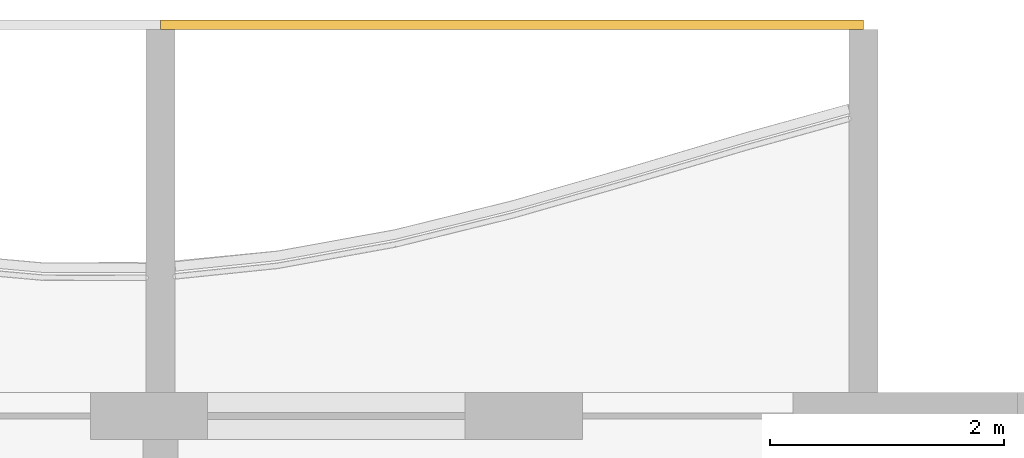
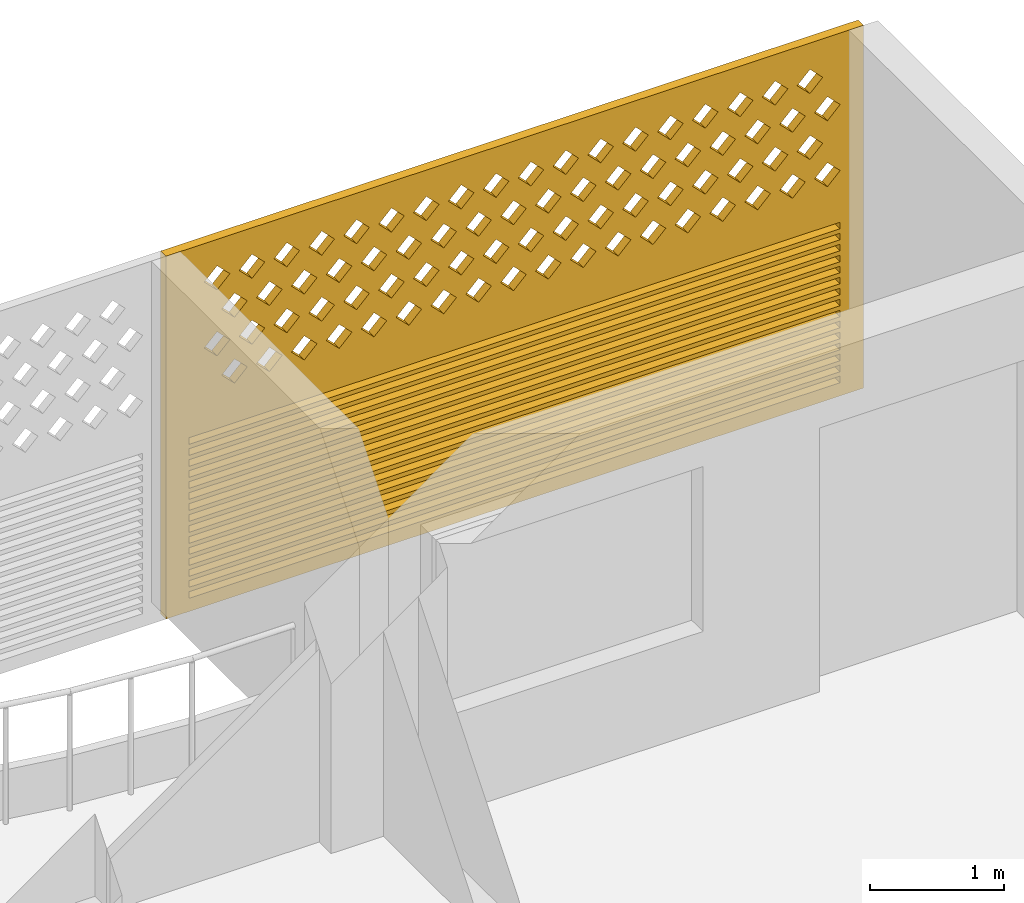
# One storey, part 33 of 33: 1 covering.
"""IFC4 building model written with IfcOpenShell, lengths in metres."""

from ifc_helpers import new_model, si_unit, direction, frame, origin, place, context, subcontext, project, spatial, polyline, outline, extrude, source, transform, mapped, material, material_profile, profile_set, type_object, element, save


model = new_model("IFC4")

# Units and contexts
model_context = context("Model", 3, precision=1e-05, world=origin(), true_north=direction((0.0, 1.0)))
body_context = subcontext(model_context, "Body", "Model", "MODEL_VIEW")
ifc_project = project(units=[si_unit("LENGTHUNIT", "METRE"), si_unit("AREAUNIT", "SQUARE_METRE"), si_unit("VOLUMEUNIT", "CUBIC_METRE"), si_unit("PLANEANGLEUNIT", "RADIAN"), si_unit("MASSUNIT", "GRAM", prefix="KILO")], contexts=[model_context])

# Site, building, storey
site_placement = place(None, origin())
site = spatial("IfcSite", under=ifc_project, at=site_placement, CompositionType="ELEMENT")
building_placement = place(site_placement, origin())
building = spatial("IfcBuilding", under=site, at=building_placement, Name="Poui Terraces", CompositionType="ELEMENT")
storey_placement = place(building_placement, frame((0.0, 0.0, 135.60009765625)))
storey = spatial("IfcBuildingStorey", under=building, at=storey_placement, Name="L37", CompositionType="ELEMENT", Elevation=135.60009765625)

# Covering
ifc_material = material(Name="Terracotta screen", Category="masonry")
ifc_material_profile = material_profile(ifc_material, outline(polyline([(-3.0, -1.64990234375), (3.0, -1.64990234375), (3.0, 1.64990234375), (-3.0, 1.64990234375), (-3.0, -1.64990234375)]), holes=[polyline([(-2.800048828125, 0.39990234375), (-2.68994140625, 0.2900390625), (-2.580078125, 0.39990234375), (-2.68994140625, 0.510009765625), (-2.800048828125, 0.39990234375)]), polyline([(-2.5, 0.39990234375), (-2.389892578125, 0.2900390625), (-2.280029296875, 0.39990234375), (-2.389892578125, 0.510009765625), (-2.5, 0.39990234375)]), polyline([(-2.199951171875, 0.39990234375), (-2.090087890625, 0.2900390625), (-1.97998046875, 0.39990234375), (-2.090087890625, 0.510009765625), (-2.199951171875, 0.39990234375)]), polyline([(-1.89990234375, 0.39990234375), (-1.7900390625, 0.2900390625), (-1.679931640625, 0.39990234375), (-1.7900390625, 0.510009765625), (-1.89990234375, 0.39990234375)]), polyline([(-1.60009765625, 0.39990234375), (-1.489990234375, 0.2900390625), (-1.3798828125, 0.39990234375), (-1.489990234375, 0.510009765625), (-1.60009765625, 0.39990234375)]), polyline([(-1.300048828125, 0.39990234375), (-1.18994140625, 0.2900390625), (-1.080078125, 0.39990234375), (-1.18994140625, 0.510009765625), (-1.300048828125, 0.39990234375)]), polyline([(-1.0, 0.39990234375), (-0.889892578125, 0.2900390625), (-0.780029296875, 0.39990234375), (-0.889892578125, 0.510009765625), (-1.0, 0.39990234375)]), polyline([(-0.699951171875, 0.39990234375), (-0.590087890625, 0.2900390625), (-0.47998046875, 0.39990234375), (-0.590087890625, 0.510009765625), (-0.699951171875, 0.39990234375)]), polyline([(-0.39990234375, 0.39990234375), (-0.2900390625, 0.2900390625), (-0.179931640625, 0.39990234375), (-0.2900390625, 0.510009765625), (-0.39990234375, 0.39990234375)]), polyline([(-0.10009765625, 0.39990234375), (0.010009765625, 0.2900390625), (0.1201171875, 0.39990234375), (0.010009765625, 0.510009765625), (-0.10009765625, 0.39990234375)]), polyline([(0.199951171875, 0.39990234375), (0.31005859375, 0.2900390625), (0.419921875, 0.39990234375), (0.31005859375, 0.510009765625), (0.199951171875, 0.39990234375)]), polyline([(0.5, 0.39990234375), (0.610107421875, 0.2900390625), (0.719970703125, 0.39990234375), (0.610107421875, 0.510009765625), (0.5, 0.39990234375)]), polyline([(0.800048828125, 0.39990234375), (0.909912109375, 0.2900390625), (1.02001953125, 0.39990234375), (0.909912109375, 0.510009765625), (0.800048828125, 0.39990234375)]), polyline([(1.10009765625, 0.39990234375), (1.2099609375, 0.2900390625), (1.320068359375, 0.39990234375), (1.2099609375, 0.510009765625), (1.10009765625, 0.39990234375)]), polyline([(1.39990234375, 0.39990234375), (1.510009765625, 0.2900390625), (1.6201171875, 0.39990234375), (1.510009765625, 0.510009765625), (1.39990234375, 0.39990234375)]), polyline([(1.699951171875, 0.39990234375), (1.81005859375, 0.2900390625), (1.919921875, 0.39990234375), (1.81005859375, 0.510009765625), (1.699951171875, 0.39990234375)]), polyline([(2.0, 0.39990234375), (2.110107421875, 0.2900390625), (2.219970703125, 0.39990234375), (2.110107421875, 0.510009765625), (2.0, 0.39990234375)]), polyline([(2.300048828125, 0.39990234375), (2.409912109375, 0.2900390625), (2.52001953125, 0.39990234375), (2.409912109375, 0.510009765625), (2.300048828125, 0.39990234375)]), polyline([(-2.64990234375, 0.699951171875), (-2.5400390625, 0.590087890625), (-2.429931640625, 0.699951171875), (-2.5400390625, 0.81005859375), (-2.64990234375, 0.699951171875)]), polyline([(-2.35009765625, 0.699951171875), (-2.239990234375, 0.590087890625), (-2.1298828125, 0.699951171875), (-2.239990234375, 0.81005859375), (-2.35009765625, 0.699951171875)]), polyline([(-2.050048828125, 0.699951171875), (-1.93994140625, 0.590087890625), (-1.830078125, 0.699951171875), (-1.93994140625, 0.81005859375), (-2.050048828125, 0.699951171875)]), polyline([(-1.75, 0.699951171875), (-1.639892578125, 0.590087890625), (-1.530029296875, 0.699951171875), (-1.639892578125, 0.81005859375), (-1.75, 0.699951171875)]), polyline([(-1.449951171875, 0.699951171875), (-1.340087890625, 0.590087890625), (-1.22998046875, 0.699951171875), (-1.340087890625, 0.81005859375), (-1.449951171875, 0.699951171875)]), polyline([(-1.14990234375, 0.699951171875), (-1.0400390625, 0.590087890625), (-0.929931640625, 0.699951171875), (-1.0400390625, 0.81005859375), (-1.14990234375, 0.699951171875)]), polyline([(-0.85009765625, 0.699951171875), (-0.739990234375, 0.590087890625), (-0.6298828125, 0.699951171875), (-0.739990234375, 0.81005859375), (-0.85009765625, 0.699951171875)]), polyline([(-0.550048828125, 0.699951171875), (-0.43994140625, 0.590087890625), (-0.330078125, 0.699951171875), (-0.43994140625, 0.81005859375), (-0.550048828125, 0.699951171875)]), polyline([(-0.25, 0.699951171875), (-0.139892578125, 0.590087890625), (-0.030029296875, 0.699951171875), (-0.139892578125, 0.81005859375), (-0.25, 0.699951171875)]), polyline([(0.050048828125, 0.699951171875), (0.159912109375, 0.590087890625), (0.27001953125, 0.699951171875), (0.159912109375, 0.81005859375), (0.050048828125, 0.699951171875)]), polyline([(0.35009765625, 0.699951171875), (0.4599609375, 0.590087890625), (0.570068359375, 0.699951171875), (0.4599609375, 0.81005859375), (0.35009765625, 0.699951171875)]), polyline([(0.64990234375, 0.699951171875), (0.760009765625, 0.590087890625), (0.8701171875, 0.699951171875), (0.760009765625, 0.81005859375), (0.64990234375, 0.699951171875)]), polyline([(0.949951171875, 0.699951171875), (1.06005859375, 0.590087890625), (1.169921875, 0.699951171875), (1.06005859375, 0.81005859375), (0.949951171875, 0.699951171875)]), polyline([(1.25, 0.699951171875), (1.360107421875, 0.590087890625), (1.469970703125, 0.699951171875), (1.360107421875, 0.81005859375), (1.25, 0.699951171875)]), polyline([(1.550048828125, 0.699951171875), (1.659912109375, 0.590087890625), (1.77001953125, 0.699951171875), (1.659912109375, 0.81005859375), (1.550048828125, 0.699951171875)]), polyline([(1.85009765625, 0.699951171875), (1.9599609375, 0.590087890625), (2.070068359375, 0.699951171875), (1.9599609375, 0.81005859375), (1.85009765625, 0.699951171875)]), polyline([(2.14990234375, 0.699951171875), (2.260009765625, 0.590087890625), (2.3701171875, 0.699951171875), (2.260009765625, 0.81005859375), (2.14990234375, 0.699951171875)]), polyline([(2.449951171875, 0.699951171875), (2.56005859375, 0.590087890625), (2.669921875, 0.699951171875), (2.56005859375, 0.81005859375), (2.449951171875, 0.699951171875)]), polyline([(-2.800048828125, 1.0), (-2.68994140625, 0.889892578125), (-2.580078125, 1.0), (-2.68994140625, 1.110107421875), (-2.800048828125, 1.0)]), polyline([(-2.5, 1.0), (-2.389892578125, 0.889892578125), (-2.280029296875, 1.0), (-2.389892578125, 1.110107421875), (-2.5, 1.0)]), polyline([(-2.199951171875, 1.0), (-2.090087890625, 0.889892578125), (-1.97998046875, 1.0), (-2.090087890625, 1.110107421875), (-2.199951171875, 1.0)]), polyline([(-1.89990234375, 1.0), (-1.7900390625, 0.889892578125), (-1.679931640625, 1.0), (-1.7900390625, 1.110107421875), (-1.89990234375, 1.0)]), polyline([(-1.60009765625, 1.0), (-1.489990234375, 0.889892578125), (-1.3798828125, 1.0), (-1.489990234375, 1.110107421875), (-1.60009765625, 1.0)]), polyline([(-1.300048828125, 1.0), (-1.18994140625, 0.889892578125), (-1.080078125, 1.0), (-1.18994140625, 1.110107421875), (-1.300048828125, 1.0)]), polyline([(-1.0, 1.0), (-0.889892578125, 0.889892578125), (-0.780029296875, 1.0), (-0.889892578125, 1.110107421875), (-1.0, 1.0)]), polyline([(-0.699951171875, 1.0), (-0.590087890625, 0.889892578125), (-0.47998046875, 1.0), (-0.590087890625, 1.110107421875), (-0.699951171875, 1.0)]), polyline([(-0.39990234375, 1.0), (-0.2900390625, 0.889892578125), (-0.179931640625, 1.0), (-0.2900390625, 1.110107421875), (-0.39990234375, 1.0)]), polyline([(-0.10009765625, 1.0), (0.010009765625, 0.889892578125), (0.1201171875, 1.0), (0.010009765625, 1.110107421875), (-0.10009765625, 1.0)]), polyline([(0.199951171875, 1.0), (0.31005859375, 0.889892578125), (0.419921875, 1.0), (0.31005859375, 1.110107421875), (0.199951171875, 1.0)]), polyline([(0.5, 1.0), (0.610107421875, 0.889892578125), (0.719970703125, 1.0), (0.610107421875, 1.110107421875), (0.5, 1.0)]), polyline([(0.800048828125, 1.0), (0.909912109375, 0.889892578125), (1.02001953125, 1.0), (0.909912109375, 1.110107421875), (0.800048828125, 1.0)]), polyline([(1.10009765625, 1.0), (1.2099609375, 0.889892578125), (1.320068359375, 1.0), (1.2099609375, 1.110107421875), (1.10009765625, 1.0)]), polyline([(1.39990234375, 1.0), (1.510009765625, 0.889892578125), (1.6201171875, 1.0), (1.510009765625, 1.110107421875), (1.39990234375, 1.0)]), polyline([(1.699951171875, 1.0), (1.81005859375, 0.889892578125), (1.919921875, 1.0), (1.81005859375, 1.110107421875), (1.699951171875, 1.0)]), polyline([(2.0, 1.0), (2.110107421875, 0.889892578125), (2.219970703125, 1.0), (2.110107421875, 1.110107421875), (2.0, 1.0)]), polyline([(2.300048828125, 1.0), (2.409912109375, 0.889892578125), (2.52001953125, 1.0), (2.409912109375, 1.110107421875), (2.300048828125, 1.0)]), polyline([(-2.64990234375, 1.300048828125), (-2.5400390625, 1.18994140625), (-2.429931640625, 1.300048828125), (-2.5400390625, 1.409912109375), (-2.64990234375, 1.300048828125)]), polyline([(-2.35009765625, 1.300048828125), (-2.239990234375, 1.18994140625), (-2.1298828125, 1.300048828125), (-2.239990234375, 1.409912109375), (-2.35009765625, 1.300048828125)]), polyline([(-2.050048828125, 1.300048828125), (-1.93994140625, 1.18994140625), (-1.830078125, 1.300048828125), (-1.93994140625, 1.409912109375), (-2.050048828125, 1.300048828125)]), polyline([(-1.75, 1.300048828125), (-1.639892578125, 1.18994140625), (-1.530029296875, 1.300048828125), (-1.639892578125, 1.409912109375), (-1.75, 1.300048828125)]), polyline([(-1.449951171875, 1.300048828125), (-1.340087890625, 1.18994140625), (-1.22998046875, 1.300048828125), (-1.340087890625, 1.409912109375), (-1.449951171875, 1.300048828125)]), polyline([(-1.14990234375, 1.300048828125), (-1.0400390625, 1.18994140625), (-0.929931640625, 1.300048828125), (-1.0400390625, 1.409912109375), (-1.14990234375, 1.300048828125)]), polyline([(-0.85009765625, 1.300048828125), (-0.739990234375, 1.18994140625), (-0.6298828125, 1.300048828125), (-0.739990234375, 1.409912109375), (-0.85009765625, 1.300048828125)]), polyline([(-0.550048828125, 1.300048828125), (-0.43994140625, 1.18994140625), (-0.330078125, 1.300048828125), (-0.43994140625, 1.409912109375), (-0.550048828125, 1.300048828125)]), polyline([(-0.25, 1.300048828125), (-0.139892578125, 1.18994140625), (-0.030029296875, 1.300048828125), (-0.139892578125, 1.409912109375), (-0.25, 1.300048828125)]), polyline([(0.050048828125, 1.300048828125), (0.159912109375, 1.18994140625), (0.27001953125, 1.300048828125), (0.159912109375, 1.409912109375), (0.050048828125, 1.300048828125)]), polyline([(0.35009765625, 1.300048828125), (0.4599609375, 1.18994140625), (0.570068359375, 1.300048828125), (0.4599609375, 1.409912109375), (0.35009765625, 1.300048828125)]), polyline([(0.64990234375, 1.300048828125), (0.760009765625, 1.18994140625), (0.8701171875, 1.300048828125), (0.760009765625, 1.409912109375), (0.64990234375, 1.300048828125)]), polyline([(0.949951171875, 1.300048828125), (1.06005859375, 1.18994140625), (1.169921875, 1.300048828125), (1.06005859375, 1.409912109375), (0.949951171875, 1.300048828125)]), polyline([(1.25, 1.300048828125), (1.360107421875, 1.18994140625), (1.469970703125, 1.300048828125), (1.360107421875, 1.409912109375), (1.25, 1.300048828125)]), polyline([(1.550048828125, 1.300048828125), (1.659912109375, 1.18994140625), (1.77001953125, 1.300048828125), (1.659912109375, 1.409912109375), (1.550048828125, 1.300048828125)]), polyline([(1.85009765625, 1.300048828125), (1.9599609375, 1.18994140625), (2.070068359375, 1.300048828125), (1.9599609375, 1.409912109375), (1.85009765625, 1.300048828125)]), polyline([(2.14990234375, 1.300048828125), (2.260009765625, 1.18994140625), (2.3701171875, 1.300048828125), (2.260009765625, 1.409912109375), (2.14990234375, 1.300048828125)]), polyline([(2.449951171875, 1.300048828125), (2.56005859375, 1.18994140625), (2.669921875, 1.300048828125), (2.56005859375, 1.409912109375), (2.449951171875, 1.300048828125)]), polyline([(-2.800048828125, -1.530029296875), (2.800048828125, -1.530029296875), (2.800048828125, -1.469970703125), (-2.800048828125, -1.469970703125), (-2.800048828125, -1.530029296875)]), polyline([(-2.800048828125, -1.429931640625), (2.800048828125, -1.429931640625), (2.800048828125, -1.3701171875), (-2.800048828125, -1.3701171875), (-2.800048828125, -1.429931640625)]), polyline([(-2.800048828125, -1.330078125), (2.800048828125, -1.330078125), (2.800048828125, -1.27001953125), (-2.800048828125, -1.27001953125), (-2.800048828125, -1.330078125)]), polyline([(-2.800048828125, -1.22998046875), (2.800048828125, -1.22998046875), (2.800048828125, -1.169921875), (-2.800048828125, -1.169921875), (-2.800048828125, -1.22998046875)]), polyline([(-2.800048828125, -1.1298828125), (2.800048828125, -1.1298828125), (2.800048828125, -1.070068359375), (-2.800048828125, -1.070068359375), (-2.800048828125, -1.1298828125)]), polyline([(-2.800048828125, -1.030029296875), (2.800048828125, -1.030029296875), (2.800048828125, -0.969970703125), (-2.800048828125, -0.969970703125), (-2.800048828125, -1.030029296875)]), polyline([(-2.800048828125, -0.929931640625), (2.800048828125, -0.929931640625), (2.800048828125, -0.8701171875), (-2.800048828125, -0.8701171875), (-2.800048828125, -0.929931640625)]), polyline([(-2.800048828125, -0.830078125), (2.800048828125, -0.830078125), (2.800048828125, -0.77001953125), (-2.800048828125, -0.77001953125), (-2.800048828125, -0.830078125)]), polyline([(-2.800048828125, -0.72998046875), (2.800048828125, -0.72998046875), (2.800048828125, -0.669921875), (-2.800048828125, -0.669921875), (-2.800048828125, -0.72998046875)]), polyline([(-2.800048828125, -0.6298828125), (2.800048828125, -0.6298828125), (2.800048828125, -0.570068359375), (-2.800048828125, -0.570068359375), (-2.800048828125, -0.6298828125)]), polyline([(-2.800048828125, -0.530029296875), (2.800048828125, -0.530029296875), (2.800048828125, -0.469970703125), (-2.800048828125, -0.469970703125), (-2.800048828125, -0.530029296875)]), polyline([(-2.800048828125, -0.429931640625), (2.800048828125, -0.429931640625), (2.800048828125, -0.3701171875), (-2.800048828125, -0.3701171875), (-2.800048828125, -0.429931640625)]), polyline([(-2.800048828125, -0.330078125), (2.800048828125, -0.330078125), (2.800048828125, -0.27001953125), (-2.800048828125, -0.27001953125), (-2.800048828125, -0.330078125)]), polyline([(-2.800048828125, -0.22998046875), (2.800048828125, -0.22998046875), (2.800048828125, -0.169921875), (-2.800048828125, -0.169921875), (-2.800048828125, -0.22998046875)]), polyline([(-2.800048828125, -0.1298828125), (2.800048828125, -0.1298828125), (2.800048828125, -0.070068359375), (-2.800048828125, -0.070068359375), (-2.800048828125, -0.1298828125)])]), Name="TERRACOTTA SCREEN AND JALOUSIE LOUVRE 6000X3300")
ifc_profile_set = profile_set([ifc_material_profile], Name="Terracotta screen")
covering_type = type_object("IfcCoveringType", Name="TERRACOTTA SCREEN AND JALOUSIE LOUVRE 6000X3300", PredefinedType="CLADDING", material=ifc_profile_set)
shared_shape = source(origin(), body_context, "Body", "SweptSolid", [
    extrude(outline(polyline([(-3.0, -1.64990234375), (3.0, -1.64990234375), (3.0, 1.64990234375), (-3.0, 1.64990234375), (-3.0, -1.64990234375)]), holes=[polyline([(-2.800048828125, 0.39990234375), (-2.68994140625, 0.2900390625), (-2.580078125, 0.39990234375), (-2.68994140625, 0.510009765625), (-2.800048828125, 0.39990234375)]), polyline([(-2.5, 0.39990234375), (-2.389892578125, 0.2900390625), (-2.280029296875, 0.39990234375), (-2.389892578125, 0.510009765625), (-2.5, 0.39990234375)]), polyline([(-2.199951171875, 0.39990234375), (-2.090087890625, 0.2900390625), (-1.97998046875, 0.39990234375), (-2.090087890625, 0.510009765625), (-2.199951171875, 0.39990234375)]), polyline([(-1.89990234375, 0.39990234375), (-1.7900390625, 0.2900390625), (-1.679931640625, 0.39990234375), (-1.7900390625, 0.510009765625), (-1.89990234375, 0.39990234375)]), polyline([(-1.60009765625, 0.39990234375), (-1.489990234375, 0.2900390625), (-1.3798828125, 0.39990234375), (-1.489990234375, 0.510009765625), (-1.60009765625, 0.39990234375)]), polyline([(-1.300048828125, 0.39990234375), (-1.18994140625, 0.2900390625), (-1.080078125, 0.39990234375), (-1.18994140625, 0.510009765625), (-1.300048828125, 0.39990234375)]), polyline([(-1.0, 0.39990234375), (-0.889892578125, 0.2900390625), (-0.780029296875, 0.39990234375), (-0.889892578125, 0.510009765625), (-1.0, 0.39990234375)]), polyline([(-0.699951171875, 0.39990234375), (-0.590087890625, 0.2900390625), (-0.47998046875, 0.39990234375), (-0.590087890625, 0.510009765625), (-0.699951171875, 0.39990234375)]), polyline([(-0.39990234375, 0.39990234375), (-0.2900390625, 0.2900390625), (-0.179931640625, 0.39990234375), (-0.2900390625, 0.510009765625), (-0.39990234375, 0.39990234375)]), polyline([(-0.10009765625, 0.39990234375), (0.010009765625, 0.2900390625), (0.1201171875, 0.39990234375), (0.010009765625, 0.510009765625), (-0.10009765625, 0.39990234375)]), polyline([(0.199951171875, 0.39990234375), (0.31005859375, 0.2900390625), (0.419921875, 0.39990234375), (0.31005859375, 0.510009765625), (0.199951171875, 0.39990234375)]), polyline([(0.5, 0.39990234375), (0.610107421875, 0.2900390625), (0.719970703125, 0.39990234375), (0.610107421875, 0.510009765625), (0.5, 0.39990234375)]), polyline([(0.800048828125, 0.39990234375), (0.909912109375, 0.2900390625), (1.02001953125, 0.39990234375), (0.909912109375, 0.510009765625), (0.800048828125, 0.39990234375)]), polyline([(1.10009765625, 0.39990234375), (1.2099609375, 0.2900390625), (1.320068359375, 0.39990234375), (1.2099609375, 0.510009765625), (1.10009765625, 0.39990234375)]), polyline([(1.39990234375, 0.39990234375), (1.510009765625, 0.2900390625), (1.6201171875, 0.39990234375), (1.510009765625, 0.510009765625), (1.39990234375, 0.39990234375)]), polyline([(1.699951171875, 0.39990234375), (1.81005859375, 0.2900390625), (1.919921875, 0.39990234375), (1.81005859375, 0.510009765625), (1.699951171875, 0.39990234375)]), polyline([(2.0, 0.39990234375), (2.110107421875, 0.2900390625), (2.219970703125, 0.39990234375), (2.110107421875, 0.510009765625), (2.0, 0.39990234375)]), polyline([(2.300048828125, 0.39990234375), (2.409912109375, 0.2900390625), (2.52001953125, 0.39990234375), (2.409912109375, 0.510009765625), (2.300048828125, 0.39990234375)]), polyline([(-2.64990234375, 0.699951171875), (-2.5400390625, 0.590087890625), (-2.429931640625, 0.699951171875), (-2.5400390625, 0.81005859375), (-2.64990234375, 0.699951171875)]), polyline([(-2.35009765625, 0.699951171875), (-2.239990234375, 0.590087890625), (-2.1298828125, 0.699951171875), (-2.239990234375, 0.81005859375), (-2.35009765625, 0.699951171875)]), polyline([(-2.050048828125, 0.699951171875), (-1.93994140625, 0.590087890625), (-1.830078125, 0.699951171875), (-1.93994140625, 0.81005859375), (-2.050048828125, 0.699951171875)]), polyline([(-1.75, 0.699951171875), (-1.639892578125, 0.590087890625), (-1.530029296875, 0.699951171875), (-1.639892578125, 0.81005859375), (-1.75, 0.699951171875)]), polyline([(-1.449951171875, 0.699951171875), (-1.340087890625, 0.590087890625), (-1.22998046875, 0.699951171875), (-1.340087890625, 0.81005859375), (-1.449951171875, 0.699951171875)]), polyline([(-1.14990234375, 0.699951171875), (-1.0400390625, 0.590087890625), (-0.929931640625, 0.699951171875), (-1.0400390625, 0.81005859375), (-1.14990234375, 0.699951171875)]), polyline([(-0.85009765625, 0.699951171875), (-0.739990234375, 0.590087890625), (-0.6298828125, 0.699951171875), (-0.739990234375, 0.81005859375), (-0.85009765625, 0.699951171875)]), polyline([(-0.550048828125, 0.699951171875), (-0.43994140625, 0.590087890625), (-0.330078125, 0.699951171875), (-0.43994140625, 0.81005859375), (-0.550048828125, 0.699951171875)]), polyline([(-0.25, 0.699951171875), (-0.139892578125, 0.590087890625), (-0.030029296875, 0.699951171875), (-0.139892578125, 0.81005859375), (-0.25, 0.699951171875)]), polyline([(0.050048828125, 0.699951171875), (0.159912109375, 0.590087890625), (0.27001953125, 0.699951171875), (0.159912109375, 0.81005859375), (0.050048828125, 0.699951171875)]), polyline([(0.35009765625, 0.699951171875), (0.4599609375, 0.590087890625), (0.570068359375, 0.699951171875), (0.4599609375, 0.81005859375), (0.35009765625, 0.699951171875)]), polyline([(0.64990234375, 0.699951171875), (0.760009765625, 0.590087890625), (0.8701171875, 0.699951171875), (0.760009765625, 0.81005859375), (0.64990234375, 0.699951171875)]), polyline([(0.949951171875, 0.699951171875), (1.06005859375, 0.590087890625), (1.169921875, 0.699951171875), (1.06005859375, 0.81005859375), (0.949951171875, 0.699951171875)]), polyline([(1.25, 0.699951171875), (1.360107421875, 0.590087890625), (1.469970703125, 0.699951171875), (1.360107421875, 0.81005859375), (1.25, 0.699951171875)]), polyline([(1.550048828125, 0.699951171875), (1.659912109375, 0.590087890625), (1.77001953125, 0.699951171875), (1.659912109375, 0.81005859375), (1.550048828125, 0.699951171875)]), polyline([(1.85009765625, 0.699951171875), (1.9599609375, 0.590087890625), (2.070068359375, 0.699951171875), (1.9599609375, 0.81005859375), (1.85009765625, 0.699951171875)]), polyline([(2.14990234375, 0.699951171875), (2.260009765625, 0.590087890625), (2.3701171875, 0.699951171875), (2.260009765625, 0.81005859375), (2.14990234375, 0.699951171875)]), polyline([(2.449951171875, 0.699951171875), (2.56005859375, 0.590087890625), (2.669921875, 0.699951171875), (2.56005859375, 0.81005859375), (2.449951171875, 0.699951171875)]), polyline([(-2.800048828125, 1.0), (-2.68994140625, 0.889892578125), (-2.580078125, 1.0), (-2.68994140625, 1.110107421875), (-2.800048828125, 1.0)]), polyline([(-2.5, 1.0), (-2.389892578125, 0.889892578125), (-2.280029296875, 1.0), (-2.389892578125, 1.110107421875), (-2.5, 1.0)]), polyline([(-2.199951171875, 1.0), (-2.090087890625, 0.889892578125), (-1.97998046875, 1.0), (-2.090087890625, 1.110107421875), (-2.199951171875, 1.0)]), polyline([(-1.89990234375, 1.0), (-1.7900390625, 0.889892578125), (-1.679931640625, 1.0), (-1.7900390625, 1.110107421875), (-1.89990234375, 1.0)]), polyline([(-1.60009765625, 1.0), (-1.489990234375, 0.889892578125), (-1.3798828125, 1.0), (-1.489990234375, 1.110107421875), (-1.60009765625, 1.0)]), polyline([(-1.300048828125, 1.0), (-1.18994140625, 0.889892578125), (-1.080078125, 1.0), (-1.18994140625, 1.110107421875), (-1.300048828125, 1.0)]), polyline([(-1.0, 1.0), (-0.889892578125, 0.889892578125), (-0.780029296875, 1.0), (-0.889892578125, 1.110107421875), (-1.0, 1.0)]), polyline([(-0.699951171875, 1.0), (-0.590087890625, 0.889892578125), (-0.47998046875, 1.0), (-0.590087890625, 1.110107421875), (-0.699951171875, 1.0)]), polyline([(-0.39990234375, 1.0), (-0.2900390625, 0.889892578125), (-0.179931640625, 1.0), (-0.2900390625, 1.110107421875), (-0.39990234375, 1.0)]), polyline([(-0.10009765625, 1.0), (0.010009765625, 0.889892578125), (0.1201171875, 1.0), (0.010009765625, 1.110107421875), (-0.10009765625, 1.0)]), polyline([(0.199951171875, 1.0), (0.31005859375, 0.889892578125), (0.419921875, 1.0), (0.31005859375, 1.110107421875), (0.199951171875, 1.0)]), polyline([(0.5, 1.0), (0.610107421875, 0.889892578125), (0.719970703125, 1.0), (0.610107421875, 1.110107421875), (0.5, 1.0)]), polyline([(0.800048828125, 1.0), (0.909912109375, 0.889892578125), (1.02001953125, 1.0), (0.909912109375, 1.110107421875), (0.800048828125, 1.0)]), polyline([(1.10009765625, 1.0), (1.2099609375, 0.889892578125), (1.320068359375, 1.0), (1.2099609375, 1.110107421875), (1.10009765625, 1.0)]), polyline([(1.39990234375, 1.0), (1.510009765625, 0.889892578125), (1.6201171875, 1.0), (1.510009765625, 1.110107421875), (1.39990234375, 1.0)]), polyline([(1.699951171875, 1.0), (1.81005859375, 0.889892578125), (1.919921875, 1.0), (1.81005859375, 1.110107421875), (1.699951171875, 1.0)]), polyline([(2.0, 1.0), (2.110107421875, 0.889892578125), (2.219970703125, 1.0), (2.110107421875, 1.110107421875), (2.0, 1.0)]), polyline([(2.300048828125, 1.0), (2.409912109375, 0.889892578125), (2.52001953125, 1.0), (2.409912109375, 1.110107421875), (2.300048828125, 1.0)]), polyline([(-2.64990234375, 1.300048828125), (-2.5400390625, 1.18994140625), (-2.429931640625, 1.300048828125), (-2.5400390625, 1.409912109375), (-2.64990234375, 1.300048828125)]), polyline([(-2.35009765625, 1.300048828125), (-2.239990234375, 1.18994140625), (-2.1298828125, 1.300048828125), (-2.239990234375, 1.409912109375), (-2.35009765625, 1.300048828125)]), polyline([(-2.050048828125, 1.300048828125), (-1.93994140625, 1.18994140625), (-1.830078125, 1.300048828125), (-1.93994140625, 1.409912109375), (-2.050048828125, 1.300048828125)]), polyline([(-1.75, 1.300048828125), (-1.639892578125, 1.18994140625), (-1.530029296875, 1.300048828125), (-1.639892578125, 1.409912109375), (-1.75, 1.300048828125)]), polyline([(-1.449951171875, 1.300048828125), (-1.340087890625, 1.18994140625), (-1.22998046875, 1.300048828125), (-1.340087890625, 1.409912109375), (-1.449951171875, 1.300048828125)]), polyline([(-1.14990234375, 1.300048828125), (-1.0400390625, 1.18994140625), (-0.929931640625, 1.300048828125), (-1.0400390625, 1.409912109375), (-1.14990234375, 1.300048828125)]), polyline([(-0.85009765625, 1.300048828125), (-0.739990234375, 1.18994140625), (-0.6298828125, 1.300048828125), (-0.739990234375, 1.409912109375), (-0.85009765625, 1.300048828125)]), polyline([(-0.550048828125, 1.300048828125), (-0.43994140625, 1.18994140625), (-0.330078125, 1.300048828125), (-0.43994140625, 1.409912109375), (-0.550048828125, 1.300048828125)]), polyline([(-0.25, 1.300048828125), (-0.139892578125, 1.18994140625), (-0.030029296875, 1.300048828125), (-0.139892578125, 1.409912109375), (-0.25, 1.300048828125)]), polyline([(0.050048828125, 1.300048828125), (0.159912109375, 1.18994140625), (0.27001953125, 1.300048828125), (0.159912109375, 1.409912109375), (0.050048828125, 1.300048828125)]), polyline([(0.35009765625, 1.300048828125), (0.4599609375, 1.18994140625), (0.570068359375, 1.300048828125), (0.4599609375, 1.409912109375), (0.35009765625, 1.300048828125)]), polyline([(0.64990234375, 1.300048828125), (0.760009765625, 1.18994140625), (0.8701171875, 1.300048828125), (0.760009765625, 1.409912109375), (0.64990234375, 1.300048828125)]), polyline([(0.949951171875, 1.300048828125), (1.06005859375, 1.18994140625), (1.169921875, 1.300048828125), (1.06005859375, 1.409912109375), (0.949951171875, 1.300048828125)]), polyline([(1.25, 1.300048828125), (1.360107421875, 1.18994140625), (1.469970703125, 1.300048828125), (1.360107421875, 1.409912109375), (1.25, 1.300048828125)]), polyline([(1.550048828125, 1.300048828125), (1.659912109375, 1.18994140625), (1.77001953125, 1.300048828125), (1.659912109375, 1.409912109375), (1.550048828125, 1.300048828125)]), polyline([(1.85009765625, 1.300048828125), (1.9599609375, 1.18994140625), (2.070068359375, 1.300048828125), (1.9599609375, 1.409912109375), (1.85009765625, 1.300048828125)]), polyline([(2.14990234375, 1.300048828125), (2.260009765625, 1.18994140625), (2.3701171875, 1.300048828125), (2.260009765625, 1.409912109375), (2.14990234375, 1.300048828125)]), polyline([(2.449951171875, 1.300048828125), (2.56005859375, 1.18994140625), (2.669921875, 1.300048828125), (2.56005859375, 1.409912109375), (2.449951171875, 1.300048828125)]), polyline([(-2.800048828125, -1.530029296875), (2.800048828125, -1.530029296875), (2.800048828125, -1.469970703125), (-2.800048828125, -1.469970703125), (-2.800048828125, -1.530029296875)]), polyline([(-2.800048828125, -1.429931640625), (2.800048828125, -1.429931640625), (2.800048828125, -1.3701171875), (-2.800048828125, -1.3701171875), (-2.800048828125, -1.429931640625)]), polyline([(-2.800048828125, -1.330078125), (2.800048828125, -1.330078125), (2.800048828125, -1.27001953125), (-2.800048828125, -1.27001953125), (-2.800048828125, -1.330078125)]), polyline([(-2.800048828125, -1.22998046875), (2.800048828125, -1.22998046875), (2.800048828125, -1.169921875), (-2.800048828125, -1.169921875), (-2.800048828125, -1.22998046875)]), polyline([(-2.800048828125, -1.1298828125), (2.800048828125, -1.1298828125), (2.800048828125, -1.070068359375), (-2.800048828125, -1.070068359375), (-2.800048828125, -1.1298828125)]), polyline([(-2.800048828125, -1.030029296875), (2.800048828125, -1.030029296875), (2.800048828125, -0.969970703125), (-2.800048828125, -0.969970703125), (-2.800048828125, -1.030029296875)]), polyline([(-2.800048828125, -0.929931640625), (2.800048828125, -0.929931640625), (2.800048828125, -0.8701171875), (-2.800048828125, -0.8701171875), (-2.800048828125, -0.929931640625)]), polyline([(-2.800048828125, -0.830078125), (2.800048828125, -0.830078125), (2.800048828125, -0.77001953125), (-2.800048828125, -0.77001953125), (-2.800048828125, -0.830078125)]), polyline([(-2.800048828125, -0.72998046875), (2.800048828125, -0.72998046875), (2.800048828125, -0.669921875), (-2.800048828125, -0.669921875), (-2.800048828125, -0.72998046875)]), polyline([(-2.800048828125, -0.6298828125), (2.800048828125, -0.6298828125), (2.800048828125, -0.570068359375), (-2.800048828125, -0.570068359375), (-2.800048828125, -0.6298828125)]), polyline([(-2.800048828125, -0.530029296875), (2.800048828125, -0.530029296875), (2.800048828125, -0.469970703125), (-2.800048828125, -0.469970703125), (-2.800048828125, -0.530029296875)]), polyline([(-2.800048828125, -0.429931640625), (2.800048828125, -0.429931640625), (2.800048828125, -0.3701171875), (-2.800048828125, -0.3701171875), (-2.800048828125, -0.429931640625)]), polyline([(-2.800048828125, -0.330078125), (2.800048828125, -0.330078125), (2.800048828125, -0.27001953125), (-2.800048828125, -0.27001953125), (-2.800048828125, -0.330078125)]), polyline([(-2.800048828125, -0.22998046875), (2.800048828125, -0.22998046875), (2.800048828125, -0.169921875), (-2.800048828125, -0.169921875), (-2.800048828125, -0.22998046875)]), polyline([(-2.800048828125, -0.1298828125), (2.800048828125, -0.1298828125), (2.800048828125, -0.070068359375), (-2.800048828125, -0.070068359375), (-2.800048828125, -0.1298828125)])]), origin(), (0.0, 0.0, 1.0), 0.080078125),
])
covering_placement = place(storey_placement, frame((81.0, 45.699951171875, 1.449951171875), z_axis=(0.0, 1.0, 0.0), x_axis=(-1.0, 0.0, 0.0)))
element("IfcCovering", 1, at=covering_placement, inside=storey, type_object=covering_type, Name="SOLAR SCREEN AND JALOUSIE LOUVRE", PredefinedType="CLADDING", context=body_context, shape_type="MappedRepresentation", body=[
    mapped(shared_shape, transform((0.0, 0.0, 0.0))),
])

save(model, "model.ifc")
